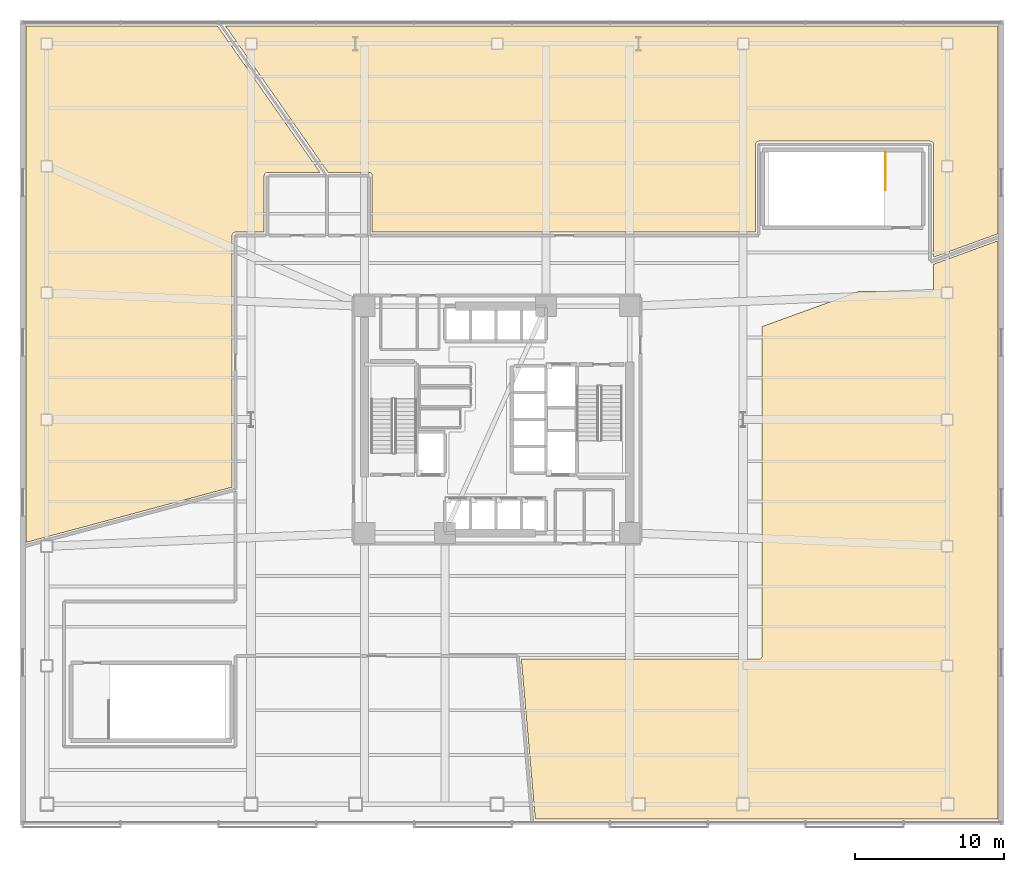
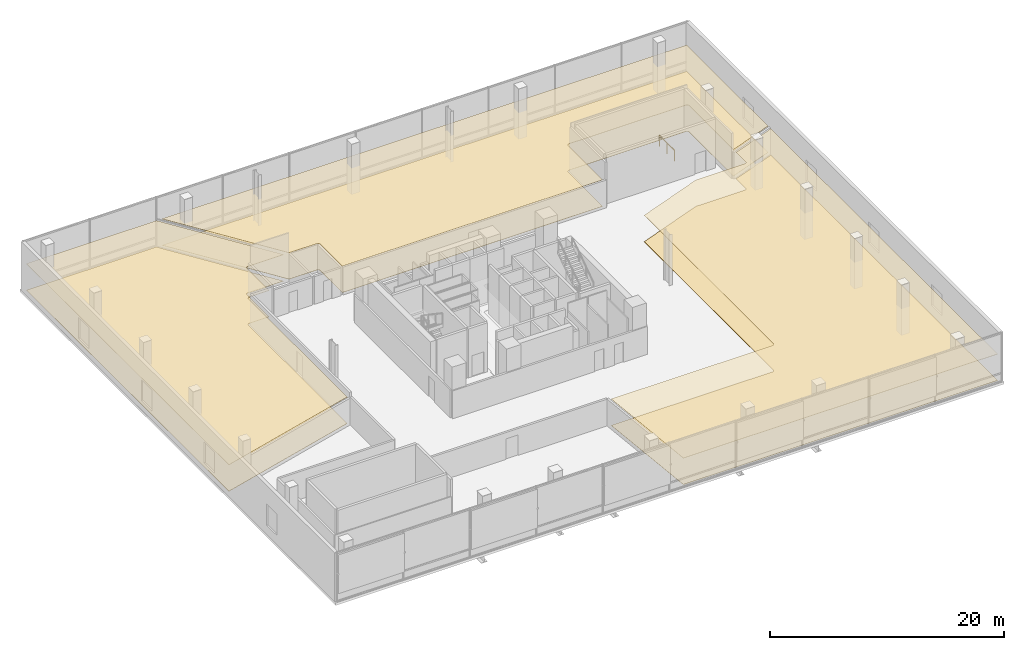
# One storey, part 19 of 19: 6 coverings, 1 railing.
"""IFC4 building model written with IfcOpenShell, lengths in metres."""

from ifc_helpers import new_model, si_unit, direction, frame, origin, origin_2d, place, context, subcontext, project, spatial, polyline, rectangle, outline, extrude, material, layer, layer_set, type_object, element, save


model = new_model("IFC4")

# Units and contexts
model_context = context("Model", 3, precision=1e-05, world=origin(), true_north=direction((0.0, 1.0)))
body_context = subcontext(model_context, "Body", "Model", "MODEL_VIEW")
ifc_project = project(units=[si_unit("LENGTHUNIT", "METRE"), si_unit("AREAUNIT", "SQUARE_METRE"), si_unit("VOLUMEUNIT", "CUBIC_METRE"), si_unit("PLANEANGLEUNIT", "RADIAN"), si_unit("MASSUNIT", "GRAM", prefix="KILO")], contexts=[model_context])

# Site, building, storey
site_placement = place(None, origin())
site = spatial("IfcSite", under=ifc_project, at=site_placement, CompositionType="ELEMENT")
building_placement = place(site_placement, origin())
building = spatial("IfcBuilding", under=site, at=building_placement, Name="Tharavind Bronze Gate", CompositionType="ELEMENT")
storey_placement = place(building_placement, frame((0.0, 0.0, 26.5)))
storey = spatial("IfcBuildingStorey", under=building, at=storey_placement, Name="L05", CompositionType="ELEMENT", Elevation=26.5)

# Coverings
ifc_material_1 = material(Name="Perforated Bronze Acoustic Panel", Category="bronze")
ifc_layer_1 = layer(ifc_material_1, 0.044921875)
ifc_layer_set_1 = layer_set([ifc_layer_1], Name="Perforated Bronze Acoustic Panel")
covering_type_1 = type_object("IfcCoveringType", Name="ACOUSTIC BRONZE BAFFLE CEILING", PredefinedType="CEILING", material=ifc_layer_set_1)
covering_1_placement = place(storey_placement, frame((0.0, 0.0, 2.75)))
element("IfcCovering", 1, at=covering_1_placement, inside=storey, type_object=covering_type_1, Name="L05-PD-01 suspended ceiling", PredefinedType="CEILING", context=body_context, shape_type="SweptSolid", body=[
    extrude(outline(polyline([(-11.333984375, 16.570068359375), (-8.6005859375, 16.570068359375), (-8.58984375, 16.569580078125), (-8.589111328125, 16.569580078125), (-8.567626953125, 16.567626953125), (-8.546630859375, 16.5634765625), (-8.52587890625, 16.55712890625), (-8.506103515625, 16.548828125), (-8.48681640625, 16.538818359375), (-8.468994140625, 16.526611328125), (-8.452392578125, 16.512939453125), (-8.43701171875, 16.497802734375), (-8.42333984375, 16.48095703125), (-8.411376953125, 16.463134765625), (-8.401123046875, 16.444091796875), (-8.392822265625, 16.424072265625), (-8.38671875, 16.4033203125), (-8.38232421875, 16.38232421875), (-8.38037109375, 16.36083984375), (-8.38037109375, 16.360107421875), (-8.3798828125, 16.349365234375), (-8.3798828125, 12.570068359375), (17.330078125, 12.570068359375), (17.330078125, 18.449462890625), (17.330322265625, 18.460205078125), (17.330322265625, 18.460693359375), (17.33251953125, 18.482421875), (17.336669921875, 18.50341796875), (17.343017578125, 18.524169921875), (17.351318359375, 18.5439453125), (17.361328125, 18.56298828125), (17.373291015625, 18.5810546875), (17.386962890625, 18.59765625), (17.40234375, 18.613037109375), (17.4189453125, 18.626708984375), (17.43701171875, 18.638671875), (17.4560546875, 18.648681640625), (17.475830078125, 18.656982421875), (17.49658203125, 18.663330078125), (17.517578125, 18.66748046875), (17.539306640625, 18.669677734375), (17.539794921875, 18.669677734375), (17.550537109375, 18.669921875), (29.04931640625, 18.669921875), (29.060302734375, 18.669677734375), (29.060791015625, 18.669677734375), (29.082275390625, 18.66748046875), (29.103515625, 18.663330078125), (29.1240234375, 18.656982421875), (29.14404296875, 18.648681640625), (29.1630859375, 18.638671875), (29.180908203125, 18.626708984375), (29.19775390625, 18.613037109375), (29.212890625, 18.59765625), (29.226806640625, 18.5810546875), (29.23876953125, 18.56298828125), (29.248779296875, 18.5439453125), (29.257080078125, 18.524169921875), (29.263427734375, 18.50341796875), (29.267578125, 18.482421875), (29.269775390625, 18.460693359375), (29.269775390625, 18.460205078125), (29.27001953125, 18.449462890625), (29.27001953125, 10.887451171875), (33.60009765625, 12.46337890625), (33.60009765625, 26.39990234375), (-18.216796875, 26.39990234375), (-11.333984375, 16.570068359375)])), origin(), (0.0, 0.0, 1.0), 0.034912109375),
])
covering_2_placement = place(storey_placement, frame((0.0, 0.0, 2.75)))
element("IfcCovering", 2, at=covering_2_placement, inside=storey, type_object=covering_type_1, Name="L05-PD-04 suspended ceiling", PredefinedType="CEILING", context=body_context, shape_type="SweptSolid", body=[
    extrude(outline(polyline([(2.5654296875, -26.800048828125), (33.60009765625, -26.800048828125), (33.60009765625, 11.995361328125), (29.27001953125, 10.419189453125), (29.27001953125, 8.800537109375), (29.269775390625, 8.789794921875), (29.269775390625, 8.789306640625), (29.267578125, 8.767578125), (29.263427734375, 8.74658203125), (29.257080078125, 8.725830078125), (29.248779296875, 8.7060546875), (29.23876953125, 8.68701171875), (29.226806640625, 8.6689453125), (29.212890625, 8.65234375), (29.19775390625, 8.636962890625), (29.180908203125, 8.623291015625), (29.1630859375, 8.611328125), (29.14404296875, 8.601318359375), (29.1240234375, 8.593017578125), (29.103515625, 8.586669921875), (29.082275390625, 8.58251953125), (29.060791015625, 8.580322265625), (29.060302734375, 8.580322265625), (29.04931640625, 8.580078125), (24.216552734375, 8.580078125), (17.77001953125, 6.233642578125), (17.77001953125, -15.849365234375), (17.769775390625, -15.860107421875), (17.769775390625, -15.86083984375), (17.767578125, -15.88232421875), (17.763427734375, -15.9033203125), (17.757080078125, -15.924072265625), (17.748779296875, -15.944091796875), (17.73876953125, -15.963134765625), (17.726806640625, -15.98095703125), (17.712890625, -15.997802734375), (17.69775390625, -16.012939453125), (17.680908203125, -16.026611328125), (17.6630859375, -16.038818359375), (17.64404296875, -16.048828125), (17.6240234375, -16.05712890625), (17.603515625, -16.0634765625), (17.582275390625, -16.067626953125), (17.560791015625, -16.069580078125), (17.560302734375, -16.069580078125), (17.54931640625, -16.070068359375), (1.626708984375, -16.070068359375), (2.5654296875, -26.800048828125)])), origin(), (0.0, 0.0, 1.0), 0.034912109375),
])
ifc_material_2 = material(Name="Engineered Oak & Carpet Tile", Category="wood")
ifc_layer_2 = layer(ifc_material_2, 0.02490234375)
ifc_layer_set_2 = layer_set([ifc_layer_2], Name="Engineered Oak & Carpet Tile")
covering_type_2 = type_object("IfcCoveringType", Name="ENGINEERED TIMBER FLOORING", PredefinedType="FLOORING", material=ifc_layer_set_2)
covering_3_placement = place(storey_placement, origin())
element("IfcCovering", 3, at=covering_3_placement, inside=storey, type_object=covering_type_2, Name="L05-PD-02 floor finish", PredefinedType="FLOORING", context=body_context, shape_type="SweptSolid", body=[
    extrude(outline(polyline([(-17.77001953125, -4.53369140625), (-17.77001953125, 12.349365234375), (-17.769775390625, 12.360107421875), (-17.769775390625, 12.36083984375), (-17.767578125, 12.38232421875), (-17.763427734375, 12.4033203125), (-17.757080078125, 12.424072265625), (-17.748779296875, 12.444091796875), (-17.73876953125, 12.463134765625), (-17.726806640625, 12.48095703125), (-17.712890625, 12.497802734375), (-17.69775390625, 12.512939453125), (-17.680908203125, 12.526611328125), (-17.6630859375, 12.538818359375), (-17.64404296875, 12.548828125), (-17.6240234375, 12.55712890625), (-17.603515625, 12.5634765625), (-17.582275390625, 12.567626953125), (-17.560791015625, 12.569580078125), (-17.560302734375, 12.569580078125), (-17.54931640625, 12.570068359375), (-15.6201171875, 12.570068359375), (-15.6201171875, 16.349365234375), (-15.61962890625, 16.360107421875), (-15.61962890625, 16.36083984375), (-15.61767578125, 16.38232421875), (-15.61328125, 16.4033203125), (-15.607177734375, 16.424072265625), (-15.598876953125, 16.444091796875), (-15.588623046875, 16.463134765625), (-15.57666015625, 16.48095703125), (-15.56298828125, 16.497802734375), (-15.547607421875, 16.512939453125), (-15.531005859375, 16.526611328125), (-15.51318359375, 16.538818359375), (-15.493896484375, 16.548828125), (-15.47412109375, 16.55712890625), (-15.453369140625, 16.5634765625), (-15.432373046875, 16.567626953125), (-15.410888671875, 16.569580078125), (-15.41015625, 16.569580078125), (-15.3994140625, 16.570068359375), (-11.87109375, 16.570068359375), (-18.75390625, 26.39990234375), (-31.60009765625, 26.39990234375), (-31.60009765625, -8.239501953125), (-17.77001953125, -4.53369140625)])), origin(), (0.0, 0.0, 1.0), 0.02490234375),
])
ifc_material_3 = material(Name="Acoustic Gypsum Board", Category="gypsum")
ifc_layer_3 = layer(ifc_material_3, 0.030029296875)
ifc_layer_set_3 = layer_set([ifc_layer_3], Name="Acoustic Gypsum Board")
covering_type_3 = type_object("IfcCoveringType", Name="GYPSUM SUSPENDED CEILING", PredefinedType="CEILING", material=ifc_layer_set_3)
covering_4_placement = place(storey_placement, frame((0.0, 0.0, 2.75)))
element("IfcCovering", 4, at=covering_4_placement, inside=storey, type_object=covering_type_3, Name="L05-PD-02 suspended ceiling", PredefinedType="CEILING", context=body_context, shape_type="SweptSolid", body=[
    extrude(outline(polyline([(-17.77001953125, -4.53369140625), (-17.77001953125, 12.349365234375), (-17.769775390625, 12.360107421875), (-17.769775390625, 12.36083984375), (-17.767578125, 12.38232421875), (-17.763427734375, 12.4033203125), (-17.757080078125, 12.424072265625), (-17.748779296875, 12.444091796875), (-17.73876953125, 12.463134765625), (-17.726806640625, 12.48095703125), (-17.712890625, 12.497802734375), (-17.69775390625, 12.512939453125), (-17.680908203125, 12.526611328125), (-17.6630859375, 12.538818359375), (-17.64404296875, 12.548828125), (-17.6240234375, 12.55712890625), (-17.603515625, 12.5634765625), (-17.582275390625, 12.567626953125), (-17.560791015625, 12.569580078125), (-17.560302734375, 12.569580078125), (-17.54931640625, 12.570068359375), (-15.6201171875, 12.570068359375), (-15.6201171875, 16.349365234375), (-15.61962890625, 16.360107421875), (-15.61962890625, 16.36083984375), (-15.61767578125, 16.38232421875), (-15.61328125, 16.4033203125), (-15.607177734375, 16.424072265625), (-15.598876953125, 16.444091796875), (-15.588623046875, 16.463134765625), (-15.57666015625, 16.48095703125), (-15.56298828125, 16.497802734375), (-15.547607421875, 16.512939453125), (-15.531005859375, 16.526611328125), (-15.51318359375, 16.538818359375), (-15.493896484375, 16.548828125), (-15.47412109375, 16.55712890625), (-15.453369140625, 16.5634765625), (-15.432373046875, 16.567626953125), (-15.410888671875, 16.569580078125), (-15.41015625, 16.569580078125), (-15.3994140625, 16.570068359375), (-11.87109375, 16.570068359375), (-18.75390625, 26.39990234375), (-31.60009765625, 26.39990234375), (-31.60009765625, -8.239501953125), (-17.77001953125, -4.53369140625)])), origin(), (0.0, 0.0, 1.0), 0.034912109375),
])
ifc_material_4 = material(Name="Honed Travertine Limestone", Category="masonry")
ifc_layer_4 = layer(ifc_material_4, 0.030029296875)
ifc_layer_set_4 = layer_set([ifc_layer_4], Name="Honed Travertine Limestone")
covering_type_4 = type_object("IfcCoveringType", Name="HONED LIMESTONE FLOORING", PredefinedType="FLOORING", material=ifc_layer_set_4)
covering_5_placement = place(storey_placement, origin())
element("IfcCovering", 5, at=covering_5_placement, inside=storey, type_object=covering_type_4, Name="L05-PD-01 floor finish", PredefinedType="FLOORING", context=body_context, shape_type="SweptSolid", body=[
    extrude(outline(polyline([(-11.333984375, 16.570068359375), (-8.6005859375, 16.570068359375), (-8.58984375, 16.569580078125), (-8.589111328125, 16.569580078125), (-8.567626953125, 16.567626953125), (-8.546630859375, 16.5634765625), (-8.52587890625, 16.55712890625), (-8.506103515625, 16.548828125), (-8.48681640625, 16.538818359375), (-8.468994140625, 16.526611328125), (-8.452392578125, 16.512939453125), (-8.43701171875, 16.497802734375), (-8.42333984375, 16.48095703125), (-8.411376953125, 16.463134765625), (-8.401123046875, 16.444091796875), (-8.392822265625, 16.424072265625), (-8.38671875, 16.4033203125), (-8.38232421875, 16.38232421875), (-8.38037109375, 16.36083984375), (-8.38037109375, 16.360107421875), (-8.3798828125, 16.349365234375), (-8.3798828125, 12.570068359375), (17.330078125, 12.570068359375), (17.330078125, 18.449462890625), (17.330322265625, 18.460205078125), (17.330322265625, 18.460693359375), (17.33251953125, 18.482421875), (17.336669921875, 18.50341796875), (17.343017578125, 18.524169921875), (17.351318359375, 18.5439453125), (17.361328125, 18.56298828125), (17.373291015625, 18.5810546875), (17.386962890625, 18.59765625), (17.40234375, 18.613037109375), (17.4189453125, 18.626708984375), (17.43701171875, 18.638671875), (17.4560546875, 18.648681640625), (17.475830078125, 18.656982421875), (17.49658203125, 18.663330078125), (17.517578125, 18.66748046875), (17.539306640625, 18.669677734375), (17.539794921875, 18.669677734375), (17.550537109375, 18.669921875), (29.04931640625, 18.669921875), (29.060302734375, 18.669677734375), (29.060791015625, 18.669677734375), (29.082275390625, 18.66748046875), (29.103515625, 18.663330078125), (29.1240234375, 18.656982421875), (29.14404296875, 18.648681640625), (29.1630859375, 18.638671875), (29.180908203125, 18.626708984375), (29.19775390625, 18.613037109375), (29.212890625, 18.59765625), (29.226806640625, 18.5810546875), (29.23876953125, 18.56298828125), (29.248779296875, 18.5439453125), (29.257080078125, 18.524169921875), (29.263427734375, 18.50341796875), (29.267578125, 18.482421875), (29.269775390625, 18.460693359375), (29.269775390625, 18.460205078125), (29.27001953125, 18.449462890625), (29.27001953125, 10.887451171875), (33.60009765625, 12.46337890625), (33.60009765625, 26.39990234375), (-18.216796875, 26.39990234375), (-11.333984375, 16.570068359375)])), origin(), (0.0, 0.0, 1.0), 0.02490234375),
])
covering_6_placement = place(storey_placement, origin())
element("IfcCovering", 6, at=covering_6_placement, inside=storey, type_object=covering_type_4, Name="L05-PD-04 floor finish", PredefinedType="FLOORING", context=body_context, shape_type="SweptSolid", body=[
    extrude(outline(polyline([(2.5654296875, -26.800048828125), (33.60009765625, -26.800048828125), (33.60009765625, 11.995361328125), (29.27001953125, 10.419189453125), (29.27001953125, 8.800537109375), (29.269775390625, 8.789794921875), (29.269775390625, 8.789306640625), (29.267578125, 8.767578125), (29.263427734375, 8.74658203125), (29.257080078125, 8.725830078125), (29.248779296875, 8.7060546875), (29.23876953125, 8.68701171875), (29.226806640625, 8.6689453125), (29.212890625, 8.65234375), (29.19775390625, 8.636962890625), (29.180908203125, 8.623291015625), (29.1630859375, 8.611328125), (29.14404296875, 8.601318359375), (29.1240234375, 8.593017578125), (29.103515625, 8.586669921875), (29.082275390625, 8.58251953125), (29.060791015625, 8.580322265625), (29.060302734375, 8.580322265625), (29.04931640625, 8.580078125), (24.216552734375, 8.580078125), (17.77001953125, 6.233642578125), (17.77001953125, -15.849365234375), (17.769775390625, -15.860107421875), (17.769775390625, -15.86083984375), (17.767578125, -15.88232421875), (17.763427734375, -15.9033203125), (17.757080078125, -15.924072265625), (17.748779296875, -15.944091796875), (17.73876953125, -15.963134765625), (17.726806640625, -15.98095703125), (17.712890625, -15.997802734375), (17.69775390625, -16.012939453125), (17.680908203125, -16.026611328125), (17.6630859375, -16.038818359375), (17.64404296875, -16.048828125), (17.6240234375, -16.05712890625), (17.603515625, -16.0634765625), (17.582275390625, -16.067626953125), (17.560791015625, -16.069580078125), (17.560302734375, -16.069580078125), (17.54931640625, -16.070068359375), (1.626708984375, -16.070068359375), (2.5654296875, -26.800048828125)])), origin(), (0.0, 0.0, 1.0), 0.02490234375),
])

# Railing
ifc_material_5 = material(Name="Brushed Bronze Alloy", Category="metal")
railing_type = type_object("IfcRailingType", Name="STAIR WELL GUARD RAILING 1120", PredefinedType="GUARDRAIL", material=ifc_material_5)
railing_placement = place(storey_placement, frame((26.050048828125, 17.949951171875, 0.0)))
element("IfcRailing", 7, at=railing_placement, inside=storey, type_object=railing_type, Name="L05 ST4 top well guard 1", PredefinedType="GUARDRAIL", context=body_context, shape_type="SweptSolid", body=[
    extrude(rectangle(XDim=0.048095703125, YDim=0.048095703125, at=origin_2d()), frame((0.0, -0.031982421875, 1.09619140625), z_axis=(0.0, -1.0, 0.0), x_axis=(1.0, 0.0, 0.0)), (0.0, 0.0, 1.0), 2.486083984375),
    extrude(rectangle(XDim=0.0400390625, YDim=0.0400390625, at=origin_2d()), origin(), (0.0, 0.0, 1.0), 1.068115234375),
    extrude(rectangle(XDim=0.0400390625, YDim=0.0400390625, at=origin_2d()), frame((0.0, -1.27490234375, 0.0)), (0.0, 0.0, 1.0), 1.068115234375),
    extrude(rectangle(XDim=0.0400390625, YDim=0.0400390625, at=origin_2d()), frame((0.0, -2.550048828125, 0.0)), (0.0, 0.0, 1.0), 1.068115234375),
])

save(model, "model.ifc")
